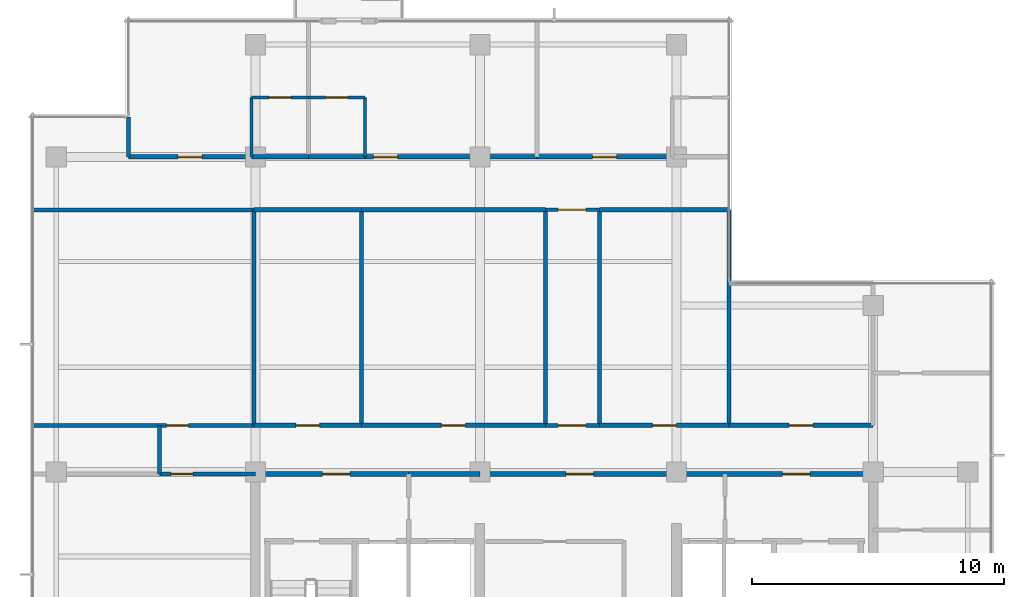
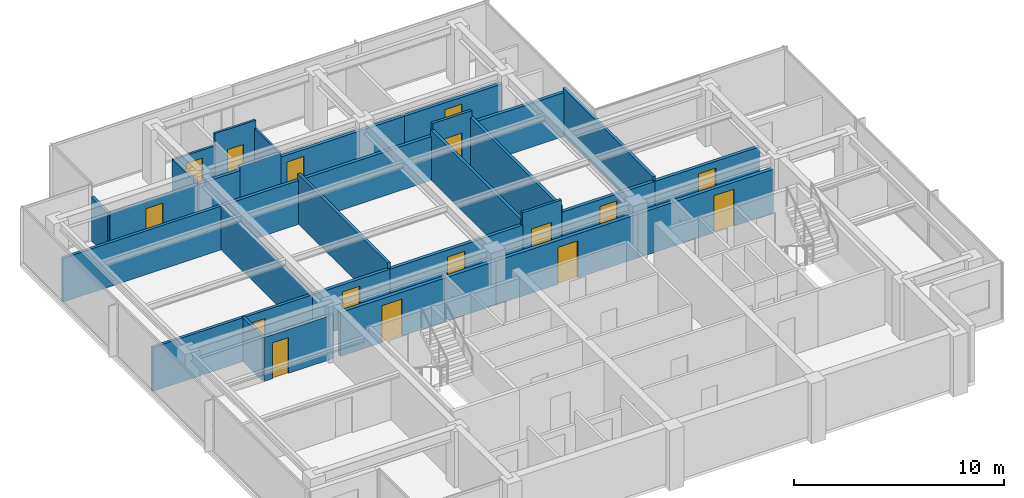
# One storey, part 7 of 11: 32 walls, 16 doors, 16 openings.
"""IFC4 building model written with IfcOpenShell, lengths in metres."""

from ifc_helpers import new_model, si_unit, direction, frame, frame_2d, origin, place, context, subcontext, project, spatial, rectangle, extrude, material, layer, layer_set, type_object, element, fill, save


model = new_model("IFC4")

# Units and contexts
model_context = context("Model", 3, precision=1e-05, world=origin(), true_north=direction((0.0, 1.0)))
body_context = subcontext(model_context, "Body", "Model", "MODEL_VIEW")
ifc_project = project(units=[si_unit("LENGTHUNIT", "METRE"), si_unit("AREAUNIT", "SQUARE_METRE"), si_unit("VOLUMEUNIT", "CUBIC_METRE"), si_unit("PLANEANGLEUNIT", "RADIAN"), si_unit("MASSUNIT", "GRAM", prefix="KILO")], contexts=[model_context])

# Site, building, storey
site_placement = place(None, origin())
site = spatial("IfcSite", under=ifc_project, at=site_placement, CompositionType="ELEMENT")
building_placement = place(site_placement, origin())
building = spatial("IfcBuilding", under=site, at=building_placement, Name="Qalmaran Belvedere Hotel", CompositionType="ELEMENT")
storey_placement = place(building_placement, frame((0.0, 0.0, 249.39990234375)))
storey = spatial("IfcBuildingStorey", under=building, at=storey_placement, Name="L64", CompositionType="ELEMENT", Elevation=249.39990234375)

# Wall, opening, door
ifc_material_1 = material(Name="Moisture-Resistant Gypsum")
ifc_layer_1 = layer(ifc_material_1, 0.1201171875, Name="Moisture-Resistant Gypsum")
ifc_layer_set_1 = layer_set([ifc_layer_1], Name="Moisture-Resistant Gypsum")
wall_type_1 = type_object("IfcWallType", Name="WL-INT-120-BATH", PredefinedType="PARTITIONING", material=ifc_layer_set_1)
wall_1_placement = place(storey_placement, frame((20.14990234375, 35.35009765625, 0.0), z_axis=(0.0, 0.0, 1.0), x_axis=(1.0, 0.0, 0.0)))
wall_1 = element("IfcWall", 1, at=wall_1_placement, inside=storey, type_object=wall_type_1, Name="L64 Partition WL-L64-NBN00", PredefinedType="PARTITIONING", context=body_context, shape_type="SweptSolid", body=[
    extrude(rectangle(XDim=2.25, YDim=0.1201171875, at=frame_2d((1.125, 0.0))), origin(), (0.0, 0.0, 1.0), 2.550048828125),
])
opening_1_placement = place(wall_1_placement, frame((1.56494140625, 0.0, 0.0), z_axis=(0.0, 0.0, 1.0), x_axis=(-1.0, 0.0, 0.0)))
opening_1 = element("IfcOpeningElement", 2, at=opening_1_placement, cuts=wall_1, Name="Opening D-BATH", PredefinedType="OPENING", context=body_context, shape_type="SweptSolid", body=[
    extrude(rectangle(XDim=0.8798828125, YDim=2.080078125, at=frame_2d((0.43994140625, 1.0400390625))), frame((0.0, 0.070068359375, 0.0), z_axis=(0.0, -1.0, 0.0), x_axis=(1.0, 0.0, 0.0)), (0.0, 0.0, 1.0), 0.14013671875),
])
ifc_material_2 = material(Name="Engineered Oak Veneer")
door_type_1 = type_object("IfcDoorType", Name="DR-INT-BATH-880X2080", OperationType="NOTDEFINED", PredefinedType="DOOR", material=ifc_material_2)
door_1_placement = place(opening_1_placement, origin())
door_1 = element("IfcDoor", 3, at=door_1_placement, inside=storey, type_object=door_type_1, Name="L64 Ensuite Bathroom Door N01", OperationType="SINGLE_SWING_LEFT", OverallHeight=2.080078125, OverallWidth=0.8798828125, PredefinedType="DOOR", context=body_context, shape_type="SweptSolid", body=[
    extrude(rectangle(XDim=0.8798828125, YDim=2.080078125, at=frame_2d((0.43994140625, 1.0400390625))), frame((0.0, 0.02490234375, 0.0), z_axis=(0.0, -1.0, 0.0), x_axis=(1.0, 0.0, 0.0)), (0.0, 0.0, 1.0), 0.050048828125),
])
fill(opening_1, door_1)

# Wall
wall_2_placement = place(storey_placement, frame((20.14990234375, 33.0, 0.0), z_axis=(0.0, 0.0, 1.0), x_axis=(0.0, 1.0, 0.0)))
element("IfcWall", 4, at=wall_2_placement, inside=storey, type_object=wall_type_1, Name="L64 Partition WL-L64-NBS00", PredefinedType="PARTITIONING", context=body_context, shape_type="SweptSolid", body=[
    extrude(rectangle(XDim=2.35009765625, YDim=0.1201171875, at=frame_2d((1.175048828125, 0.0))), origin(), (0.0, 0.0, 1.0), 2.550048828125),
])

# Wall, opening, door
wall_3_placement = place(storey_placement, frame((22.39990234375, 35.35009765625, 0.0), z_axis=(0.0, 0.0, 1.0), x_axis=(1.0, 0.0, 0.0)))
wall_3 = element("IfcWall", 5, at=wall_3_placement, inside=storey, type_object=wall_type_1, Name="L64 Partition WL-L64-NBN01", PredefinedType="PARTITIONING", context=body_context, shape_type="SweptSolid", body=[
    extrude(rectangle(XDim=2.25, YDim=0.1201171875, at=frame_2d((1.125, 0.0))), origin(), (0.0, 0.0, 1.0), 3.260009765625),
])
opening_2_placement = place(wall_3_placement, frame((1.56494140625, 0.0, 0.0), z_axis=(0.0, 0.0, 1.0), x_axis=(-1.0, 0.0, 0.0)))
opening_2 = element("IfcOpeningElement", 6, at=opening_2_placement, cuts=wall_3, Name="Opening D-BATH", PredefinedType="OPENING", context=body_context, shape_type="SweptSolid", body=[
    extrude(rectangle(XDim=0.8798828125, YDim=2.080078125, at=frame_2d((0.43994140625, 1.0400390625))), frame((0.0, 0.070068359375, 0.0), z_axis=(0.0, -1.0, 0.0), x_axis=(1.0, 0.0, 0.0)), (0.0, 0.0, 1.0), 0.14013671875),
])
door_2_placement = place(opening_2_placement, origin())
door_2 = element("IfcDoor", 7, at=door_2_placement, inside=storey, type_object=door_type_1, Name="L64 Ensuite Bathroom Door N02", OperationType="SINGLE_SWING_LEFT", OverallHeight=2.080078125, OverallWidth=0.8798828125, PredefinedType="DOOR", context=body_context, shape_type="SweptSolid", body=[
    extrude(rectangle(XDim=0.8798828125, YDim=2.080078125, at=frame_2d((0.43994140625, 1.0400390625))), frame((0.0, 0.02490234375, 0.0), z_axis=(0.0, -1.0, 0.0), x_axis=(1.0, 0.0, 0.0)), (0.0, 0.0, 1.0), 0.050048828125),
])
fill(opening_2, door_2)

# Wall
wall_4_placement = place(storey_placement, frame((24.64990234375, 33.0, 0.0), z_axis=(0.0, 0.0, 1.0), x_axis=(0.0, 1.0, 0.0)))
element("IfcWall", 8, at=wall_4_placement, inside=storey, type_object=wall_type_1, Name="L64 Partition WL-L64-NBS01", PredefinedType="PARTITIONING", context=body_context, shape_type="SweptSolid", body=[
    extrude(rectangle(XDim=2.35009765625, YDim=0.1201171875, at=frame_2d((1.175048828125, 0.0))), origin(), (0.0, 0.0, 1.0), 2.781982421875),
])

# Wall, opening, door
ifc_material_3 = material(Name="Gypsum Stud Partition")
ifc_layer_2 = layer(ifc_material_3, 0.14990234375, Name="Gypsum Stud Partition")
ifc_layer_set_2 = layer_set([ifc_layer_2], Name="Gypsum Stud Partition")
wall_type_2 = type_object("IfcWallType", Name="WL-INT-150-EI60", PredefinedType="PARTITIONING", material=ifc_layer_set_2)
wall_5_placement = place(storey_placement, frame((31.800048828125, 22.35009765625, 0.0), z_axis=(0.0, 0.0, 1.0), x_axis=(1.0, 0.0, 0.0)))
wall_5 = element("IfcWall", 9, at=wall_5_placement, inside=storey, type_object=wall_type_2, Name="L64 Partition WL-L64-XCLS", PredefinedType="PARTITIONING", context=body_context, shape_type="SweptSolid", body=[
    extrude(rectangle(XDim=2.14990234375, YDim=0.14990234375, at=frame_2d((1.074951171875, 0.0))), origin(), (0.0, 0.0, 1.0), 3.260009765625),
])
opening_3_placement = place(wall_5_placement, frame((0.5, 0.0, 0.0)))
opening_3 = element("IfcOpeningElement", 10, at=opening_3_placement, cuts=wall_5, Name="Opening FD90", PredefinedType="OPENING", context=body_context, shape_type="SweptSolid", body=[
    extrude(rectangle(XDim=1.10009765625, YDim=2.14990234375, at=frame_2d((0.550048828125, 1.074951171875))), frame((0.0, 0.0849609375, 0.0), z_axis=(0.0, -1.0, 0.0), x_axis=(1.0, 0.0, 0.0)), (0.0, 0.0, 1.0), 0.169921875),
])
ifc_material_4 = material(Name="Steel S355JR", Category="steel")
door_type_2 = type_object("IfcDoorType", Name="DR-FD90-1100X2150", OperationType="NOTDEFINED", PredefinedType="DOOR", material=ifc_material_4)
door_3_placement = place(opening_3_placement, origin())
door_3 = element("IfcDoor", 11, at=door_3_placement, inside=storey, type_object=door_type_2, Name="L64 Sky Link South Door", OperationType="SINGLE_SWING_RIGHT", OverallHeight=2.14990234375, OverallWidth=1.10009765625, PredefinedType="DOOR", context=body_context, shape_type="SweptSolid", body=[
    extrude(rectangle(XDim=1.10009765625, YDim=2.14990234375, at=frame_2d((0.550048828125, 1.074951171875))), frame((0.0, 0.02490234375, 0.0), z_axis=(0.0, -1.0, 0.0), x_axis=(1.0, 0.0, 0.0)), (0.0, 0.0, 1.0), 0.050048828125),
])
fill(opening_3, door_3)

wall_6_placement = place(storey_placement, frame((31.800048828125, 30.89990234375, 0.0), z_axis=(0.0, 0.0, 1.0), x_axis=(1.0, 0.0, 0.0)))
wall_6 = element("IfcWall", 12, at=wall_6_placement, inside=storey, type_object=wall_type_2, Name="L64 Partition WL-L64-XCLN", PredefinedType="PARTITIONING", context=body_context, shape_type="SweptSolid", body=[
    extrude(rectangle(XDim=2.14990234375, YDim=0.14990234375, at=frame_2d((1.074951171875, 0.0))), origin(), (0.0, 0.0, 1.0), 3.260009765625),
])
opening_4_placement = place(wall_6_placement, frame((0.5, 0.0, 0.0)))
opening_4 = element("IfcOpeningElement", 13, at=opening_4_placement, cuts=wall_6, Name="Opening FD90", PredefinedType="OPENING", context=body_context, shape_type="SweptSolid", body=[
    extrude(rectangle(XDim=1.10009765625, YDim=2.14990234375, at=frame_2d((0.550048828125, 1.074951171875))), frame((0.0, 0.0849609375, 0.0), z_axis=(0.0, -1.0, 0.0), x_axis=(1.0, 0.0, 0.0)), (0.0, 0.0, 1.0), 0.169921875),
])
door_4_placement = place(opening_4_placement, origin())
door_4 = element("IfcDoor", 14, at=door_4_placement, inside=storey, type_object=door_type_2, Name="L64 Sky Link North Door", OperationType="SINGLE_SWING_LEFT", OverallHeight=2.14990234375, OverallWidth=1.10009765625, PredefinedType="DOOR", context=body_context, shape_type="SweptSolid", body=[
    extrude(rectangle(XDim=1.10009765625, YDim=2.14990234375, at=frame_2d((0.550048828125, 1.074951171875))), frame((0.0, 0.02490234375, 0.0), z_axis=(0.0, -1.0, 0.0), x_axis=(1.0, 0.0, 0.0)), (0.0, 0.0, 1.0), 0.050048828125),
])
fill(opening_4, door_4)

ifc_layer_3 = layer(ifc_material_3, 0.159912109375, Name="Gypsum Stud Partition")
ifc_layer_set_3 = layer_set([ifc_layer_3], Name="Gypsum Stud Partition")
wall_type_3 = type_object("IfcWallType", Name="WL-INT-160-EI60", PredefinedType="PARTITIONING", material=ifc_layer_set_3)
wall_7_placement = place(storey_placement, frame((16.5, 20.419921875, 0.0), z_axis=(0.0, 0.0, 1.0), x_axis=(1.0, 0.0, 0.0)))
wall_7 = element("IfcWall", 15, at=wall_7_placement, inside=storey, type_object=wall_type_3, Name="L64 Partition WL-L64-C4WS2", PredefinedType="PARTITIONING", context=body_context, shape_type="SweptSolid", body=[
    extrude(rectangle(XDim=3.800048828125, YDim=0.159912109375, at=frame_2d((1.89990234375, 0.0))), origin(), (0.0, 0.0, 1.0), 2.550048828125),
])
opening_5_placement = place(wall_7_placement, frame((1.329833984375, 0.0, 0.0), z_axis=(0.0, 0.0, 1.0), x_axis=(-1.0, 0.0, 0.0)))
opening_5 = element("IfcOpeningElement", 16, at=opening_5_placement, cuts=wall_7, Name="Opening FD60B", PredefinedType="OPENING", context=body_context, shape_type="SweptSolid", body=[
    extrude(rectangle(XDim=0.8798828125, YDim=2.080078125, at=frame_2d((0.43994140625, 1.0400390625))), frame((0.0, 0.08984375, 0.0), z_axis=(0.0, -1.0, 0.0), x_axis=(1.0, 0.0, 0.0)), (0.0, 0.0, 1.0), 0.179931640625),
])
door_type_3 = type_object("IfcDoorType", Name="DR-FD60B-880X2080", OperationType="NOTDEFINED", PredefinedType="DOOR", material=ifc_material_4)
door_5_placement = place(opening_5_placement, origin())
door_5 = element("IfcDoor", 17, at=door_5_placement, inside=storey, type_object=door_type_3, Name="L64 West Salon Door", OperationType="SINGLE_SWING_LEFT", OverallHeight=2.080078125, OverallWidth=0.8798828125, PredefinedType="DOOR", context=body_context, shape_type="SweptSolid", body=[
    extrude(rectangle(XDim=0.8798828125, YDim=2.080078125, at=frame_2d((0.43994140625, 1.0400390625))), frame((0.0, 0.02490234375, 0.0), z_axis=(0.0, -1.0, 0.0), x_axis=(1.0, 0.0, 0.0)), (0.0, 0.0, 1.0), 0.050048828125),
])
fill(opening_5, door_5)

# Wall
wall_8_placement = place(storey_placement, frame((16.5, 20.419921875, 0.0), z_axis=(0.0, 0.0, 1.0), x_axis=(0.0, 1.0, 0.0)))
element("IfcWall", 18, at=wall_8_placement, inside=storey, type_object=wall_type_3, Name="L64 Partition WL-L64-C4WW", PredefinedType="PARTITIONING", context=body_context, shape_type="SweptSolid", body=[
    extrude(rectangle(XDim=1.93017578125, YDim=0.159912109375, at=frame_2d((0.965087890625, 0.0))), origin(), (0.0, 0.0, 1.0), 2.550048828125),
])

# Wall, opening, door
wall_9_placement = place(storey_placement, frame((11.469970703125, 22.35009765625, 0.0), z_axis=(0.0, 0.0, 1.0), x_axis=(1.0, 0.0, 0.0)))
wall_9 = element("IfcWall", 19, at=wall_9_placement, inside=storey, type_object=wall_type_3, Name="L64 Partition WL-L64-C4WN0", PredefinedType="PARTITIONING", context=body_context, shape_type="SweptSolid", body=[
    extrude(rectangle(XDim=8.780029296875, YDim=0.159912109375, at=frame_2d((4.39013671875, 0.0))), origin(), (0.0, 0.0, 1.0), 2.550048828125),
])
opening_6_placement = place(wall_9_placement, frame((5.300048828125, 0.0, 0.0)))
opening_6 = element("IfcOpeningElement", 20, at=opening_6_placement, cuts=wall_9, Name="Opening FD60B", PredefinedType="OPENING", context=body_context, shape_type="SweptSolid", body=[
    extrude(rectangle(XDim=0.8798828125, YDim=2.080078125, at=frame_2d((0.43994140625, 1.0400390625))), frame((0.0, 0.08984375, 0.0), z_axis=(0.0, -1.0, 0.0), x_axis=(1.0, 0.0, 0.0)), (0.0, 0.0, 1.0), 0.179931640625),
])
door_6_placement = place(opening_6_placement, origin())
door_6 = element("IfcDoor", 21, at=door_6_placement, inside=storey, type_object=door_type_3, Name="L64 NW Salon Door", OperationType="SINGLE_SWING_RIGHT", OverallHeight=2.080078125, OverallWidth=0.8798828125, PredefinedType="DOOR", context=body_context, shape_type="SweptSolid", body=[
    extrude(rectangle(XDim=0.8798828125, YDim=2.080078125, at=frame_2d((0.43994140625, 1.0400390625))), frame((0.0, 0.02490234375, 0.0), z_axis=(0.0, -1.0, 0.0), x_axis=(1.0, 0.0, 0.0)), (0.0, 0.0, 1.0), 0.050048828125),
])
fill(opening_6, door_6)

# Walls
wall_10_placement = place(storey_placement, frame((11.469970703125, 30.89990234375, 0.0), z_axis=(0.0, 0.0, 1.0), x_axis=(1.0, 0.0, 0.0)))
element("IfcWall", 22, at=wall_10_placement, inside=storey, type_object=wall_type_3, Name="L64 Partition WL-L64-C4WN1", PredefinedType="PARTITIONING", context=body_context, shape_type="SweptSolid", body=[
    extrude(rectangle(XDim=8.780029296875, YDim=0.159912109375, at=frame_2d((4.39013671875, 0.0))), origin(), (0.0, 0.0, 1.0), 2.550048828125),
])
wall_11_placement = place(storey_placement, frame((20.25, 22.35009765625, 0.0), z_axis=(0.0, 0.0, 1.0), x_axis=(0.0, 1.0, 0.0)))
element("IfcWall", 23, at=wall_11_placement, inside=storey, type_object=wall_type_3, Name="L64 Partition WL-L64-C4MWVL", PredefinedType="PARTITIONING", context=body_context, shape_type="SweptSolid", body=[
    extrude(rectangle(XDim=8.5498046875, YDim=0.159912109375, at=frame_2d((4.27490234375, 0.0))), origin(), (0.0, 0.0, 1.0), 2.550048828125),
])
for number, where, z_axis, x_axis, name in (
    (24, (24.5, 22.35009765625, 0.0), (0.0, 0.0, 1.0), (0.0, 1.0, 0.0), "L64 Partition WL-L64-C4MWVR1"),
    (25, (31.800048828125, 22.35009765625, 0.0), (0.0, 0.0, 1.0), (0.0, 1.0, 0.0), "L64 Partition WL-L64-C4MWVR2"),
    (26, (33.949951171875, 22.35009765625, 0.0), (0.0, 0.0, 1.0), (0.0, 1.0, 0.0), "L64 Partition WL-L64-C4MEVL"),
):
    element("IfcWall", number, at=place(storey_placement, frame(where, z_axis=z_axis, x_axis=x_axis)), inside=storey, type_object=wall_type_3, Name=name, PredefinedType="PARTITIONING", context=body_context, shape_type="SweptSolid", body=[
        extrude(rectangle(XDim=8.5498046875, YDim=0.159912109375, at=frame_2d((4.27490234375, 0.0))), origin(), (0.0, 0.0, 1.0), 2.88720703125),
    ])
wall_12_placement = place(storey_placement, frame((39.080078125, 22.35009765625, 0.0), z_axis=(0.0, 0.0, 1.0), x_axis=(0.0, 1.0, 0.0)))
element("IfcWall", 27, at=wall_12_placement, inside=storey, type_object=wall_type_3, Name="L64 Partition WL-L64-C4MEVR1", PredefinedType="PARTITIONING", context=body_context, shape_type="SweptSolid", body=[
    extrude(rectangle(XDim=8.5498046875, YDim=0.159912109375, at=frame_2d((4.27490234375, 0.0))), origin(), (0.0, 0.0, 1.0), 2.781982421875),
])
wall_13_placement = place(storey_placement, frame((15.27001953125, 33.0, 0.0), z_axis=(0.0, 0.0, 1.0), x_axis=(0.0, 1.0, 0.0)))
element("IfcWall", 28, at=wall_13_placement, inside=storey, type_object=wall_type_3, Name="L64 Partition WL-L64-NUL", PredefinedType="PARTITIONING", context=body_context, shape_type="SweptSolid", body=[
    extrude(rectangle(XDim=1.580078125, YDim=0.159912109375, at=frame_2d((0.7900390625, 0.0))), origin(), (0.0, 0.0, 1.0), 2.550048828125),
])

# Wall, opening, door
ifc_layer_4 = layer(ifc_material_3, 0.179931640625, Name="Gypsum Stud Partition")
ifc_layer_set_4 = layer_set([ifc_layer_4], Name="Gypsum Stud Partition")
wall_type_4 = type_object("IfcWallType", Name="WL-INT-180-EI60", PredefinedType="PARTITIONING", material=ifc_layer_set_4)
wall_14_placement = place(storey_placement, frame((20.25, 22.35009765625, 0.0), z_axis=(0.0, 0.0, 1.0), x_axis=(1.0, 0.0, 0.0)))
wall_14 = element("IfcWall", 29, at=wall_14_placement, inside=storey, type_object=wall_type_4, Name="L64 Partition WL-L64-C4MWD1", PredefinedType="PARTITIONING", context=body_context, shape_type="SweptSolid", body=[
    extrude(rectangle(XDim=4.25, YDim=0.179931640625, at=frame_2d((2.125, 0.0))), origin(), (0.0, 0.0, 1.0), 2.550048828125),
])
opening_7_placement = place(wall_14_placement, frame((1.64990234375, 0.0, 0.0)))
opening_7 = element("IfcOpeningElement", 30, at=opening_7_placement, cuts=wall_14, Name="Opening FD60", PredefinedType="OPENING", context=body_context, shape_type="SweptSolid", body=[
    extrude(rectangle(XDim=0.949951171875, YDim=2.14990234375, at=frame_2d((0.47509765625, 1.074951171875))), frame((0.0, 0.10009765625, 0.0), z_axis=(0.0, -1.0, 0.0), x_axis=(1.0, 0.0, 0.0)), (0.0, 0.0, 1.0), 0.199951171875),
])
door_type_4 = type_object("IfcDoorType", Name="DR-FD60-950X2150", OperationType="NOTDEFINED", PredefinedType="DOOR", material=ifc_material_2)
door_7_placement = place(opening_7_placement, origin())
door_7 = element("IfcDoor", 31, at=door_7_placement, inside=storey, type_object=door_type_4, Name="L64 Housekeeping and Linen Room Door", OperationType="SINGLE_SWING_LEFT", OverallHeight=2.14990234375, OverallWidth=0.949951171875, PredefinedType="DOOR", context=body_context, shape_type="SweptSolid", body=[
    extrude(rectangle(XDim=0.949951171875, YDim=2.14990234375, at=frame_2d((0.47509765625, 1.074951171875))), frame((0.0, 0.02490234375, 0.0), z_axis=(0.0, -1.0, 0.0), x_axis=(1.0, 0.0, 0.0)), (0.0, 0.0, 1.0), 0.050048828125),
])
fill(opening_7, door_7)

# Wall
wall_15_placement = place(storey_placement, frame((20.25, 30.89990234375, 0.0), z_axis=(0.0, 0.0, 1.0), x_axis=(1.0, 0.0, 0.0)))
element("IfcWall", 32, at=wall_15_placement, inside=storey, type_object=wall_type_4, Name="L64 Partition WL-L64-C4MWO1", PredefinedType="PARTITIONING", context=body_context, shape_type="SweptSolid", body=[
    extrude(rectangle(XDim=4.25, YDim=0.179931640625, at=frame_2d((2.125, 0.0))), origin(), (0.0, 0.0, 1.0), 2.550048828125),
])

# Wall, opening, door
wall_16_placement = place(storey_placement, frame((24.5, 22.35009765625, 0.0), z_axis=(0.0, 0.0, 1.0), x_axis=(1.0, 0.0, 0.0)))
wall_16 = element("IfcWall", 33, at=wall_16_placement, inside=storey, type_object=wall_type_4, Name="L64 Partition WL-L64-C4MWD2", PredefinedType="PARTITIONING", context=body_context, shape_type="SweptSolid", body=[
    extrude(rectangle(XDim=7.300048828125, YDim=0.179931640625, at=frame_2d((3.64990234375, 0.0))), origin(), (0.0, 0.0, 1.0), 2.550048828125),
])
opening_8_placement = place(wall_16_placement, frame((3.175048828125, 0.0, 0.0)))
opening_8 = element("IfcOpeningElement", 34, at=opening_8_placement, cuts=wall_16, Name="Opening FD60", PredefinedType="OPENING", context=body_context, shape_type="SweptSolid", body=[
    extrude(rectangle(XDim=0.949951171875, YDim=2.14990234375, at=frame_2d((0.47509765625, 1.074951171875))), frame((0.0, 0.10009765625, 0.0), z_axis=(0.0, -1.0, 0.0), x_axis=(1.0, 0.0, 0.0)), (0.0, 0.0, 1.0), 0.199951171875),
])
door_8_placement = place(opening_8_placement, origin())
door_8 = element("IfcDoor", 35, at=door_8_placement, inside=storey, type_object=door_type_4, Name="L64 Yoga Spa Door", OperationType="SINGLE_SWING_RIGHT", OverallHeight=2.14990234375, OverallWidth=0.949951171875, PredefinedType="DOOR", context=body_context, shape_type="SweptSolid", body=[
    extrude(rectangle(XDim=0.949951171875, YDim=2.14990234375, at=frame_2d((0.47509765625, 1.074951171875))), frame((0.0, 0.02490234375, 0.0), z_axis=(0.0, -1.0, 0.0), x_axis=(1.0, 0.0, 0.0)), (0.0, 0.0, 1.0), 0.050048828125),
])
fill(opening_8, door_8)

# Wall
wall_17_placement = place(storey_placement, frame((24.5, 30.89990234375, 0.0), z_axis=(0.0, 0.0, 1.0), x_axis=(1.0, 0.0, 0.0)))
element("IfcWall", 36, at=wall_17_placement, inside=storey, type_object=wall_type_4, Name="L64 Partition WL-L64-C4MWO2", PredefinedType="PARTITIONING", context=body_context, shape_type="SweptSolid", body=[
    extrude(rectangle(XDim=7.300048828125, YDim=0.179931640625, at=frame_2d((3.64990234375, 0.0))), origin(), (0.0, 0.0, 1.0), 2.550048828125),
])

# Wall, opening, door
wall_18_placement = place(storey_placement, frame((33.949951171875, 22.35009765625, 0.0), z_axis=(0.0, 0.0, 1.0), x_axis=(1.0, 0.0, 0.0)))
wall_18 = element("IfcWall", 37, at=wall_18_placement, inside=storey, type_object=wall_type_4, Name="L64 Partition WL-L64-C4MED1", PredefinedType="PARTITIONING", context=body_context, shape_type="SweptSolid", body=[
    extrude(rectangle(XDim=5.130126953125, YDim=0.179931640625, at=frame_2d((2.56494140625, 0.0))), origin(), (0.0, 0.0, 1.0), 2.550048828125),
])
opening_9_placement = place(wall_18_placement, frame((2.090087890625, 0.0, 0.0)))
opening_9 = element("IfcOpeningElement", 38, at=opening_9_placement, cuts=wall_18, Name="Opening FD60", PredefinedType="OPENING", context=body_context, shape_type="SweptSolid", body=[
    extrude(rectangle(XDim=0.949951171875, YDim=2.14990234375, at=frame_2d((0.47509765625, 1.074951171875))), frame((0.0, 0.10009765625, 0.0), z_axis=(0.0, -1.0, 0.0), x_axis=(1.0, 0.0, 0.0)), (0.0, 0.0, 1.0), 0.199951171875),
])
door_9_placement = place(opening_9_placement, origin())
door_9 = element("IfcDoor", 39, at=door_9_placement, inside=storey, type_object=door_type_4, Name="L64 Pilates Spa Door", OperationType="SINGLE_SWING_LEFT", OverallHeight=2.14990234375, OverallWidth=0.949951171875, PredefinedType="DOOR", context=body_context, shape_type="SweptSolid", body=[
    extrude(rectangle(XDim=0.949951171875, YDim=2.14990234375, at=frame_2d((0.47509765625, 1.074951171875))), frame((0.0, 0.02490234375, 0.0), z_axis=(0.0, -1.0, 0.0), x_axis=(1.0, 0.0, 0.0)), (0.0, 0.0, 1.0), 0.050048828125),
])
fill(opening_9, door_9)

# Wall
wall_19_placement = place(storey_placement, frame((33.949951171875, 30.89990234375, 0.0), z_axis=(0.0, 0.0, 1.0), x_axis=(1.0, 0.0, 0.0)))
element("IfcWall", 40, at=wall_19_placement, inside=storey, type_object=wall_type_4, Name="L64 Partition WL-L64-C4MEO1", PredefinedType="PARTITIONING", context=body_context, shape_type="SweptSolid", body=[
    extrude(rectangle(XDim=5.130126953125, YDim=0.179931640625, at=frame_2d((2.56494140625, 0.0))), origin(), (0.0, 0.0, 1.0), 2.550048828125),
])

# Wall, opening, door
wall_20_placement = place(storey_placement, frame((39.080078125, 22.35009765625, 0.0), z_axis=(0.0, 0.0, 1.0), x_axis=(1.0, 0.0, 0.0)))
wall_20 = element("IfcWall", 41, at=wall_20_placement, inside=storey, type_object=wall_type_4, Name="L64 Partition WL-L64-C4MFD1", PredefinedType="PARTITIONING", context=body_context, shape_type="SweptSolid", body=[
    extrude(rectangle(XDim=5.719970703125, YDim=0.179931640625, at=frame_2d((2.85986328125, 0.0))), origin(), (0.0, 0.0, 1.0), 2.550048828125),
])
opening_10_placement = place(wall_20_placement, frame((2.385009765625, 0.0, 0.0)))
opening_10 = element("IfcOpeningElement", 42, at=opening_10_placement, cuts=wall_20, Name="Opening FD60", PredefinedType="OPENING", context=body_context, shape_type="SweptSolid", body=[
    extrude(rectangle(XDim=0.949951171875, YDim=2.14990234375, at=frame_2d((0.47509765625, 1.074951171875))), frame((0.0, 0.10009765625, 0.0), z_axis=(0.0, -1.0, 0.0), x_axis=(1.0, 0.0, 0.0)), (0.0, 0.0, 1.0), 0.199951171875),
])
door_10_placement = place(opening_10_placement, origin())
door_10 = element("IfcDoor", 43, at=door_10_placement, inside=storey, type_object=door_type_4, Name="L64 Thermal Spa Door", OperationType="SINGLE_SWING_RIGHT", OverallHeight=2.14990234375, OverallWidth=0.949951171875, PredefinedType="DOOR", context=body_context, shape_type="SweptSolid", body=[
    extrude(rectangle(XDim=0.949951171875, YDim=2.14990234375, at=frame_2d((0.47509765625, 1.074951171875))), frame((0.0, 0.02490234375, 0.0), z_axis=(0.0, -1.0, 0.0), x_axis=(1.0, 0.0, 0.0)), (0.0, 0.0, 1.0), 0.050048828125),
])
fill(opening_10, door_10)

# Wall
wall_21_placement = place(storey_placement, frame((20.14990234375, 33.0, 0.0), z_axis=(0.0, 0.0, 1.0), x_axis=(1.0, 0.0, 0.0)))
element("IfcWall", 44, at=wall_21_placement, inside=storey, type_object=wall_type_4, Name="L64 Partition WL-L64-NBC00", PredefinedType="PARTITIONING", context=body_context, shape_type="SweptSolid", body=[
    extrude(rectangle(XDim=2.25, YDim=0.179931640625, at=frame_2d((1.125, 0.0))), origin(), (0.0, 0.0, 1.0), 2.550048828125),
])

# Wall, opening, door
wall_22_placement = place(storey_placement, frame((15.27001953125, 33.0, 0.0), z_axis=(0.0, 0.0, 1.0), x_axis=(1.0, 0.0, 0.0)))
wall_22 = element("IfcWall", 45, at=wall_22_placement, inside=storey, type_object=wall_type_4, Name="L64 Partition WL-L64-NEC00", PredefinedType="PARTITIONING", context=body_context, shape_type="SweptSolid", body=[
    extrude(rectangle(XDim=4.8798828125, YDim=0.179931640625, at=frame_2d((2.43994140625, 0.0))), origin(), (0.0, 0.0, 1.0), 2.550048828125),
])
opening_11_placement = place(wall_22_placement, frame((1.965087890625, 0.0, 0.0)))
opening_11 = element("IfcOpeningElement", 46, at=opening_11_placement, cuts=wall_22, Name="Opening FD60", PredefinedType="OPENING", context=body_context, shape_type="SweptSolid", body=[
    extrude(rectangle(XDim=0.949951171875, YDim=2.14990234375, at=frame_2d((0.47509765625, 1.074951171875))), frame((0.0, 0.10009765625, 0.0), z_axis=(0.0, -1.0, 0.0), x_axis=(1.0, 0.0, 0.0)), (0.0, 0.0, 1.0), 0.199951171875),
])
door_11_placement = place(opening_11_placement, origin())
door_11 = element("IfcDoor", 47, at=door_11_placement, inside=storey, type_object=door_type_4, Name="L64 Guest Entrance Door N01", OperationType="SINGLE_SWING_RIGHT", OverallHeight=2.14990234375, OverallWidth=0.949951171875, PredefinedType="DOOR", context=body_context, shape_type="SweptSolid", body=[
    extrude(rectangle(XDim=0.949951171875, YDim=2.14990234375, at=frame_2d((0.47509765625, 1.074951171875))), frame((0.0, 0.02490234375, 0.0), z_axis=(0.0, -1.0, 0.0), x_axis=(1.0, 0.0, 0.0)), (0.0, 0.0, 1.0), 0.050048828125),
])
fill(opening_11, door_11)

# Wall
wall_23_placement = place(storey_placement, frame((22.39990234375, 33.0, 0.0), z_axis=(0.0, 0.0, 1.0), x_axis=(1.0, 0.0, 0.0)))
element("IfcWall", 48, at=wall_23_placement, inside=storey, type_object=wall_type_4, Name="L64 Partition WL-L64-NBC01", PredefinedType="PARTITIONING", context=body_context, shape_type="SweptSolid", body=[
    extrude(rectangle(XDim=2.25, YDim=0.179931640625, at=frame_2d((1.125, 0.0))), origin(), (0.0, 0.0, 1.0), 2.781982421875),
])

# Wall, opening, door
wall_24_placement = place(storey_placement, frame((24.64990234375, 33.0, 0.0), z_axis=(0.0, 0.0, 1.0), x_axis=(1.0, 0.0, 0.0)))
wall_24 = element("IfcWall", 49, at=wall_24_placement, inside=storey, type_object=wall_type_4, Name="L64 Partition WL-L64-NEC01", PredefinedType="PARTITIONING", context=body_context, shape_type="SweptSolid", body=[
    extrude(rectangle(XDim=6.810791015625, YDim=0.179931640625, at=frame_2d((3.4052734375, 0.0))), origin(), (0.0, 0.0, 1.0), 2.550048828125),
])
opening_12_placement = place(wall_24_placement, frame((0.337890625, 0.0, 0.0)))
opening_12 = element("IfcOpeningElement", 50, at=opening_12_placement, cuts=wall_24, Name="Opening FD60", PredefinedType="OPENING", context=body_context, shape_type="SweptSolid", body=[
    extrude(rectangle(XDim=0.949951171875, YDim=2.14990234375, at=frame_2d((0.47509765625, 1.074951171875))), frame((0.0, 0.10009765625, 0.0), z_axis=(0.0, -1.0, 0.0), x_axis=(1.0, 0.0, 0.0)), (0.0, 0.0, 1.0), 0.199951171875),
])
door_12_placement = place(opening_12_placement, origin())
door_12 = element("IfcDoor", 51, at=door_12_placement, inside=storey, type_object=door_type_4, Name="L64 Guest Entrance Door N02", OperationType="SINGLE_SWING_RIGHT", OverallHeight=2.14990234375, OverallWidth=0.949951171875, PredefinedType="DOOR", context=body_context, shape_type="SweptSolid", body=[
    extrude(rectangle(XDim=0.949951171875, YDim=2.14990234375, at=frame_2d((0.47509765625, 1.074951171875))), frame((0.0, 0.02490234375, 0.0), z_axis=(0.0, -1.0, 0.0), x_axis=(1.0, 0.0, 0.0)), (0.0, 0.0, 1.0), 0.050048828125),
])
fill(opening_12, door_12)

wall_25_placement = place(storey_placement, frame((31.460693359375, 33.0, 0.0), z_axis=(0.0, 0.0, 1.0), x_axis=(1.0, 0.0, 0.0)))
wall_25 = element("IfcWall", 52, at=wall_25_placement, inside=storey, type_object=wall_type_4, Name="L64 Partition WL-L64-NEC02", PredefinedType="PARTITIONING", context=body_context, shape_type="SweptSolid", body=[
    extrude(rectangle(XDim=5.369384765625, YDim=0.179931640625, at=frame_2d((2.6845703125, 0.0))), origin(), (0.0, 0.0, 1.0), 2.550048828125),
])
opening_13_placement = place(wall_25_placement, frame((2.209716796875, 0.0, 0.0)))
opening_13 = element("IfcOpeningElement", 53, at=opening_13_placement, cuts=wall_25, Name="Opening FD60", PredefinedType="OPENING", context=body_context, shape_type="SweptSolid", body=[
    extrude(rectangle(XDim=0.949951171875, YDim=2.14990234375, at=frame_2d((0.47509765625, 1.074951171875))), frame((0.0, 0.10009765625, 0.0), z_axis=(0.0, -1.0, 0.0), x_axis=(1.0, 0.0, 0.0)), (0.0, 0.0, 1.0), 0.199951171875),
])
door_13_placement = place(opening_13_placement, origin())
door_13 = element("IfcDoor", 54, at=door_13_placement, inside=storey, type_object=door_type_4, Name="L64 Guest Entrance Door N03", OperationType="SINGLE_SWING_RIGHT", OverallHeight=2.14990234375, OverallWidth=0.949951171875, PredefinedType="DOOR", context=body_context, shape_type="SweptSolid", body=[
    extrude(rectangle(XDim=0.949951171875, YDim=2.14990234375, at=frame_2d((0.47509765625, 1.074951171875))), frame((0.0, 0.02490234375, 0.0), z_axis=(0.0, -1.0, 0.0), x_axis=(1.0, 0.0, 0.0)), (0.0, 0.0, 1.0), 0.050048828125),
])
fill(opening_13, door_13)

ifc_material_5 = material(Name="Concrete C30/37 Blockwork", Category="masonry")
ifc_layer_5 = layer(ifc_material_5, 0.199951171875, Name="Concrete C30/37 Blockwork")
ifc_layer_set_5 = layer_set([ifc_layer_5], Name="Concrete C30/37 Blockwork")
wall_type_5 = type_object("IfcWallType", Name="WL-INT-200-EI120", PredefinedType="PARTITIONING", material=ifc_layer_set_5)
wall_26_placement = place(storey_placement, frame((20.64990234375, 20.419921875, 0.0), z_axis=(0.0, 0.0, 1.0), x_axis=(1.0, 0.0, 0.0)))
wall_26 = element("IfcWall", 55, at=wall_26_placement, inside=storey, type_object=wall_type_5, Name="L64 Partition WL-CN1A-L64", PredefinedType="PARTITIONING", context=body_context, shape_type="SweptSolid", body=[
    extrude(rectangle(XDim=5.72998046875, YDim=0.199951171875, at=frame_2d((2.864990234375, 0.0))), origin(), (0.0, 0.0, 1.0), 2.550048828125),
])
opening_14_placement = place(wall_26_placement, frame((2.300048828125, 0.0, 0.0)))
opening_14 = element("IfcOpeningElement", 56, at=opening_14_placement, cuts=wall_26, Name="Opening FD90", PredefinedType="OPENING", context=body_context, shape_type="SweptSolid", body=[
    extrude(rectangle(XDim=1.10009765625, YDim=2.14990234375, at=frame_2d((0.550048828125, 1.074951171875))), frame((0.0, 0.10986328125, 0.0), z_axis=(0.0, -1.0, 0.0), x_axis=(1.0, 0.0, 0.0)), (0.0, 0.0, 1.0), 0.219970703125),
])
door_14_placement = place(opening_14_placement, origin())
door_14 = element("IfcDoor", 57, at=door_14_placement, inside=storey, type_object=door_type_2, Name="L64 FF1 Lobby Corridor Door", OperationType="SINGLE_SWING_RIGHT", OverallHeight=2.14990234375, OverallWidth=1.10009765625, PredefinedType="DOOR", context=body_context, shape_type="SweptSolid", body=[
    extrude(rectangle(XDim=1.10009765625, YDim=2.14990234375, at=frame_2d((0.550048828125, 1.074951171875))), frame((0.0, 0.02490234375, 0.0), z_axis=(0.0, -1.0, 0.0), x_axis=(1.0, 0.0, 0.0)), (0.0, 0.0, 1.0), 0.050048828125),
])
fill(opening_14, door_14)

# Wall
wall_27_placement = place(storey_placement, frame((26.3798828125, 20.419921875, 0.0), z_axis=(0.0, 0.0, 1.0), x_axis=(1.0, 0.0, 0.0)))
element("IfcWall", 58, at=wall_27_placement, inside=storey, type_object=wall_type_5, Name="L64 Partition WL-CN1B-L64", PredefinedType="PARTITIONING", context=body_context, shape_type="SweptSolid", body=[
    extrude(rectangle(XDim=2.820068359375, YDim=0.199951171875, at=frame_2d((1.41015625, 0.0))), origin(), (0.0, 0.0, 1.0), 2.550048828125),
])

# Wall, opening, door
wall_28_placement = place(storey_placement, frame((29.199951171875, 20.419921875, 0.0), z_axis=(0.0, 0.0, 1.0), x_axis=(1.0, 0.0, 0.0)))
wall_28 = element("IfcWall", 59, at=wall_28_placement, inside=storey, type_object=wall_type_5, Name="L64 Partition WL-CN2-L64", PredefinedType="PARTITIONING", context=body_context, shape_type="SweptSolid", body=[
    extrude(rectangle(XDim=7.800048828125, YDim=0.199951171875, at=frame_2d((3.89990234375, 0.0))), origin(), (0.0, 0.0, 1.0), 2.550048828125),
])
opening_15_placement = place(wall_28_placement, frame((3.4091796875, 0.0, 0.0)))
opening_15 = element("IfcOpeningElement", 60, at=opening_15_placement, cuts=wall_28, Name="Opening FD90", PredefinedType="OPENING", context=body_context, shape_type="SweptSolid", body=[
    extrude(rectangle(XDim=1.10009765625, YDim=2.14990234375, at=frame_2d((0.550048828125, 1.074951171875))), frame((0.0, 0.10986328125, 0.0), z_axis=(0.0, -1.0, 0.0), x_axis=(1.0, 0.0, 0.0)), (0.0, 0.0, 1.0), 0.219970703125),
])
door_15_placement = place(opening_15_placement, origin())
door_15 = element("IfcDoor", 61, at=door_15_placement, inside=storey, type_object=door_type_2, Name="L64 Central Lift Lobby Door", OperationType="SINGLE_SWING_LEFT", OverallHeight=2.14990234375, OverallWidth=1.10009765625, PredefinedType="DOOR", context=body_context, shape_type="SweptSolid", body=[
    extrude(rectangle(XDim=1.10009765625, YDim=2.14990234375, at=frame_2d((0.550048828125, 1.074951171875))), frame((0.0, 0.02490234375, 0.0), z_axis=(0.0, -1.0, 0.0), x_axis=(1.0, 0.0, 0.0)), (0.0, 0.0, 1.0), 0.050048828125),
])
fill(opening_15, door_15)

wall_29_placement = place(storey_placement, frame((37.0, 20.419921875, 0.0), z_axis=(0.0, 0.0, 1.0), x_axis=(1.0, 0.0, 0.0)))
wall_29 = element("IfcWall", 62, at=wall_29_placement, inside=storey, type_object=wall_type_5, Name="L64 Partition WL-CN3-L64", PredefinedType="PARTITIONING", context=body_context, shape_type="SweptSolid", body=[
    extrude(rectangle(XDim=7.449951171875, YDim=0.199951171875, at=frame_2d((3.72509765625, 0.0))), origin(), (0.0, 0.0, 1.0), 2.550048828125),
])
opening_16_placement = place(wall_29_placement, frame((4.199951171875, 0.0, 0.0)))
opening_16 = element("IfcOpeningElement", 63, at=opening_16_placement, cuts=wall_29, Name="Opening FD90", PredefinedType="OPENING", context=body_context, shape_type="SweptSolid", body=[
    extrude(rectangle(XDim=1.10009765625, YDim=2.14990234375, at=frame_2d((0.550048828125, 1.074951171875))), frame((0.0, 0.10986328125, 0.0), z_axis=(0.0, -1.0, 0.0), x_axis=(1.0, 0.0, 0.0)), (0.0, 0.0, 1.0), 0.219970703125),
])
door_16_placement = place(opening_16_placement, origin())
door_16 = element("IfcDoor", 64, at=door_16_placement, inside=storey, type_object=door_type_2, Name="L64 FF2 Lobby Corridor Door", OperationType="SINGLE_SWING_RIGHT", OverallHeight=2.14990234375, OverallWidth=1.10009765625, PredefinedType="DOOR", context=body_context, shape_type="SweptSolid", body=[
    extrude(rectangle(XDim=1.10009765625, YDim=2.14990234375, at=frame_2d((0.550048828125, 1.074951171875))), frame((0.0, 0.02490234375, 0.0), z_axis=(0.0, -1.0, 0.0), x_axis=(1.0, 0.0, 0.0)), (0.0, 0.0, 1.0), 0.050048828125),
])
fill(opening_16, door_16)

save(model, "model.ifc")
